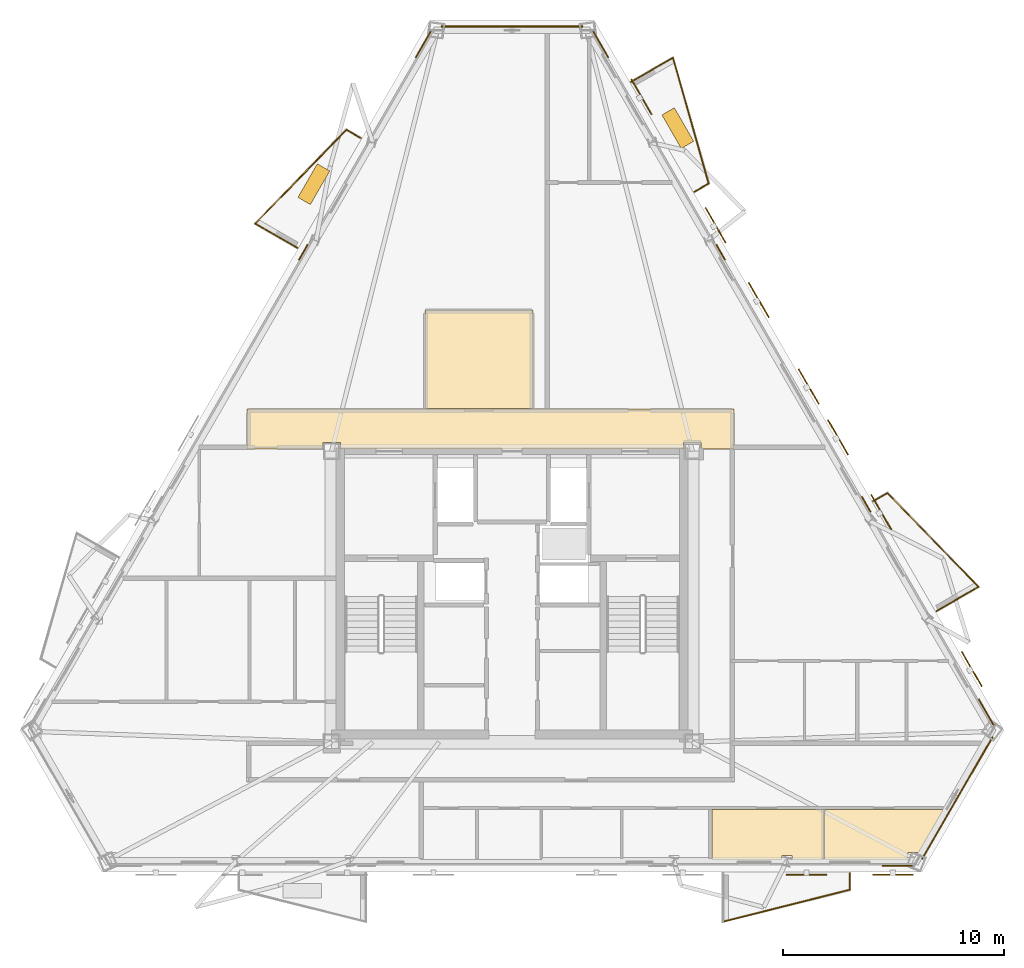
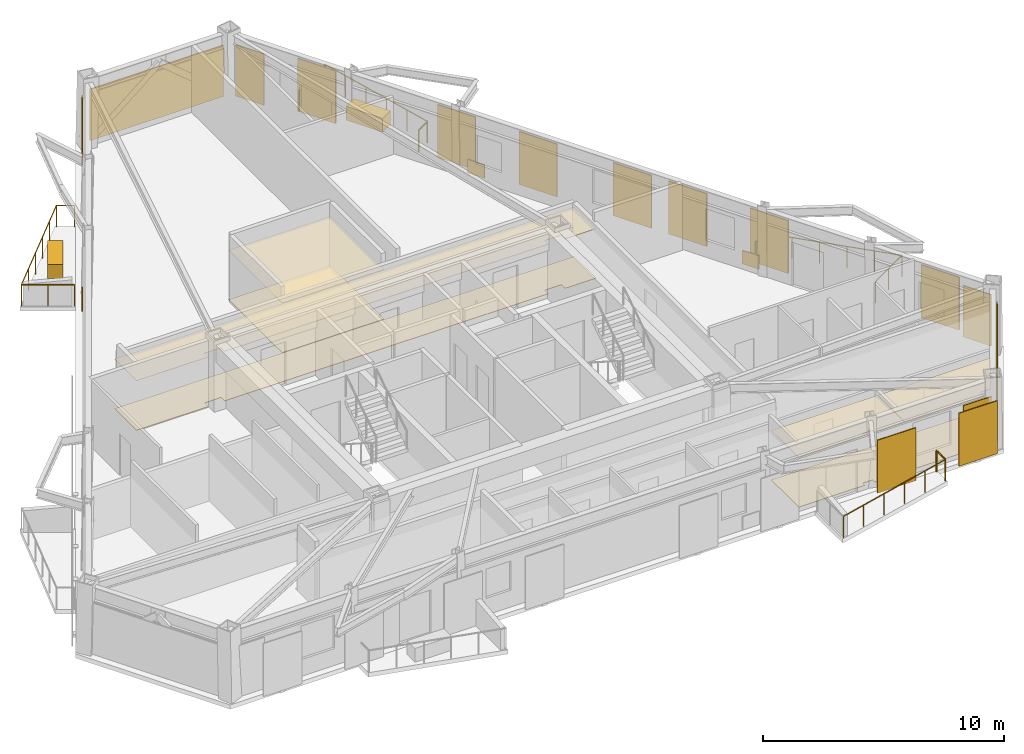
# One storey, part 10 of 11: 19 coverings, 11 railings, 9 shading devices.
"""IFC4 building model written with IfcOpenShell, lengths in metres."""

from ifc_helpers import new_model, si_unit, direction, frame, origin, origin_2d, place, context, subcontext, project, spatial, polyline, rectangle, circle, outline, extrude, material, layer, layer_set, type_object, element, save


model = new_model("IFC4")

# Units and contexts
model_context = context("Model", 3, precision=1e-05, world=origin(), true_north=direction((0.0, 1.0)))
body_context = subcontext(model_context, "Body", "Model", "MODEL_VIEW")
ifc_project = project(units=[si_unit("LENGTHUNIT", "METRE"), si_unit("AREAUNIT", "SQUARE_METRE"), si_unit("VOLUMEUNIT", "CUBIC_METRE"), si_unit("PLANEANGLEUNIT", "RADIAN"), si_unit("MASSUNIT", "GRAM", prefix="KILO")], contexts=[model_context])

# Site, building, storey
site_placement = place(None, origin())
site = spatial("IfcSite", under=ifc_project, at=site_placement, CompositionType="ELEMENT")
building_placement = place(site_placement, origin())
building = spatial("IfcBuilding", under=site, at=building_placement, Name="Oramaril Tower", CompositionType="ELEMENT")
storey_placement = place(building_placement, frame((0.0, 0.0, 212.699951171875)))
storey = spatial("IfcBuildingStorey", under=building, at=storey_placement, Name="L56", CompositionType="ELEMENT", Elevation=212.699951171875)

# Coverings
ifc_material_1 = material(Name="Mineral Fibre Acoustic Ceiling")
ifc_layer_1 = layer(ifc_material_1, 0.02001953125)
ifc_layer_set_1 = layer_set([ifc_layer_1], Name="CVT-CEIL")
covering_type_1 = type_object("IfcCoveringType", Name="CVT-CEIL", PredefinedType="CEILING", material=ifc_layer_set_1)
covering_1_placement = place(storey_placement, frame((0.0, 0.0, 2.511962890625)))
element("IfcCovering", 1, at=covering_1_placement, inside=storey, type_object=covering_type_1, Name="L56 Acoustic Suspended Ceiling 2", PredefinedType="CEILING", context=body_context, shape_type="SweptSolid", body=[
    extrude(outline(polyline([(47.530029296875, 24.239990234375), (46.044921875, 24.239990234375), (46.044921875, 24.544921875), (45.2548828125, 24.544921875), (45.2548828125, 24.25), (29.7451171875, 24.25), (29.7451171875, 24.544921875), (28.955078125, 24.544921875), (28.955078125, 24.239990234375), (25.52001953125, 24.239990234375), (25.52001953125, 26.050048828125), (47.530029296875, 26.050048828125), (47.530029296875, 24.239990234375)])), origin(), (0.0, 0.0, 1.0), 0.02001953125),
])
covering_2_placement = place(storey_placement, frame((0.0, 0.0, 2.511962890625)))
element("IfcCovering", 2, at=covering_2_placement, inside=storey, type_object=covering_type_1, Name="L56 Acoustic Suspended Ceiling 4", PredefinedType="CEILING", context=body_context, shape_type="SweptSolid", body=[
    extrude(outline(polyline([(38.44189453125, 30.511962890625), (38.44189453125, 26.070068359375), (33.55810546875, 26.070068359375), (33.55810546875, 30.511962890625), (38.44189453125, 30.511962890625)])), origin(), (0.0, 0.0, 1.0), 0.02001953125),
])
covering_3_placement = place(storey_placement, frame((0.0, 0.0, 2.511962890625)))
element("IfcCovering", 3, at=covering_3_placement, inside=storey, type_object=covering_type_1, Name="L56 Acoustic Suspended Ceiling 10", PredefinedType="CEILING", context=body_context, shape_type="SweptSolid", body=[
    extrude(outline(polyline([(50.15625, 5.69287109375), (50.15625, 5.87109375), (49.6982421875, 5.87109375), (49.6982421875, 5.69287109375), (46.5263671875, 5.69287109375), (46.5263671875, 7.967529296875), (51.606689453125, 7.967529296875), (51.606689453125, 5.69287109375), (50.15625, 5.69287109375)])), origin(), (0.0, 0.0, 1.0), 0.02001953125),
])
covering_4_placement = place(storey_placement, frame((0.0, 0.0, 2.511962890625)))
element("IfcCovering", 4, at=covering_4_placement, inside=storey, type_object=covering_type_1, Name="L56 Acoustic Suspended Ceiling 11", PredefinedType="CEILING", context=body_context, shape_type="SweptSolid", body=[
    extrude(outline(polyline([(55.391357421875, 6.021728515625), (55.391357421875, 5.69287109375), (51.626708984375, 5.69287109375), (51.626708984375, 7.967529296875), (57.01220703125, 7.967529296875), (55.888916015625, 6.021728515625), (55.391357421875, 6.021728515625)])), origin(), (0.0, 0.0, 1.0), 0.02001953125),
])
ifc_material_2 = material(Name="Warm Cream Limestone", Category="masonry")
ifc_layer_2 = layer(ifc_material_2, 0.050048828125)
ifc_layer_set_2 = layer_set([ifc_layer_2], Name="CVT-CLD")
covering_type_2 = type_object("IfcCoveringType", Name="CVT-CLD", PredefinedType="CLADDING", material=ifc_layer_set_2)
covering_5_placement = place(storey_placement, frame((54.911376953125, 5.416748046875, 0.0400390625), z_axis=(0.0, 0.0, 1.0), x_axis=(1.0, 0.0, 0.0)))
element("IfcCovering", 5, at=covering_5_placement, inside=storey, type_object=covering_type_2, Name="L56 Warm Cream Limestone Cladding", PredefinedType="CLADDING", context=body_context, shape_type="SweptSolid", body=[
    extrude(rectangle(XDim=1.35009765625, YDim=0.050048828125, at=origin_2d()), origin(), (0.0, 0.0, 1.0), 2.596923828125),
])
covering_6_placement = place(storey_placement, frame((57.626708984375, 8.479736328125, 0.0400390625), z_axis=(0.0, 0.0, 1.0), x_axis=(0.5, 0.866025403784, 0.0)))
element("IfcCovering", 6, at=covering_6_placement, inside=storey, type_object=covering_type_2, Name="L56 Warm Cream Limestone Cladding", PredefinedType="CLADDING", context=body_context, shape_type="SweptSolid", body=[
    extrude(rectangle(XDim=6.379638671875, YDim=0.050048828125, at=origin_2d()), origin(), (0.0, 0.0, 1.0), 2.596923828125),
])
for number, where, z_axis, x_axis, name in (
    (7, (58.921630859375, 12.36279296875, 0.0400390625), (0.0, 0.0, 1.0), (-0.4999984885, 0.866026276448, 0.0), "L56 Warm Cream Limestone Cladding"),
    (8, (41.51025390625, 42.5205078125, 0.0400390625), (0.0, 0.0, 1.0), (-0.4999984885, 0.866026276448, 0.0), "L56 Warm Cream Limestone Cladding"),
):
    element("IfcCovering", number, at=place(storey_placement, frame(where, z_axis=z_axis, x_axis=x_axis)), inside=storey, type_object=covering_type_2, Name=name, PredefinedType="CLADDING", context=body_context, shape_type="SweptSolid", body=[
        extrude(rectangle(XDim=1.35009765625, YDim=0.050048828125, at=origin_2d()), origin(), (0.0, 0.0, 1.0), 2.596923828125),
    ])
for number, where, z_axis, x_axis, name in (
    (9, (53.5029296875, 21.748291015625, 0.0400390625), (0.0, 0.0, 1.0), (-0.4999984885, 0.866026276448, 0.0), "L56 Warm Cream Limestone Spandrel Cladding"),
    (10, (46.928955078125, 33.135009765625, 0.0400390625), (0.0, 0.0, 1.0), (-0.4999984885, 0.866026276448, 0.0), "L56 Warm Cream Limestone Spandrel Cladding"),
):
    element("IfcCovering", number, at=place(storey_placement, frame(where, z_axis=z_axis, x_axis=x_axis)), inside=storey, type_object=covering_type_2, Name=name, PredefinedType="CLADDING", context=body_context, shape_type="SweptSolid", body=[
        extrude(rectangle(XDim=0.800048828125, YDim=0.050048828125, at=origin_2d()), origin(), (0.0, 0.0, 1.0), 0.679931640625),
    ])
covering_7_placement = place(storey_placement, frame((37.5, 43.340576171875, 0.0400390625), z_axis=(0.0, 0.0, 1.0), x_axis=(-1.0, 0.0, 0.0)))
element("IfcCovering", 11, at=covering_7_placement, inside=storey, type_object=covering_type_2, Name="L56 Warm Cream Limestone Cladding", PredefinedType="CLADDING", context=body_context, shape_type="SweptSolid", body=[
    extrude(rectangle(XDim=6.379638671875, YDim=0.050048828125, at=origin_2d()), origin(), (0.0, 0.0, 1.0), 2.596923828125),
])
covering_8_placement = place(storey_placement, frame((33.48974609375, 42.5205078125, 0.0400390625), z_axis=(0.0, 0.0, 1.0), x_axis=(-0.4999984885, -0.866026276448, 0.0)))
element("IfcCovering", 12, at=covering_8_placement, inside=storey, type_object=covering_type_2, Name="L56 Warm Cream Limestone Cladding", PredefinedType="CLADDING", context=body_context, shape_type="SweptSolid", body=[
    extrude(rectangle(XDim=1.35009765625, YDim=0.050048828125, at=origin_2d()), origin(), (0.0, 0.0, 1.0), 2.596923828125),
])
covering_9_placement = place(storey_placement, frame((28.071044921875, 33.135009765625, 0.0400390625), z_axis=(0.0, 0.0, 1.0), x_axis=(-0.4999984885, -0.866026276448, 0.0)))
element("IfcCovering", 13, at=covering_9_placement, inside=storey, type_object=covering_type_2, Name="L56 Warm Cream Limestone Spandrel Cladding", PredefinedType="CLADDING", context=body_context, shape_type="SweptSolid", body=[
    extrude(rectangle(XDim=0.800048828125, YDim=0.050048828125, at=origin_2d()), origin(), (0.0, 0.0, 1.0), 0.679931640625),
])
for number, where, z_axis, x_axis, name in (
    (14, (44.992431640625, 38.746337890625, 0.0), (0.0, 0.0, 1.0), (-0.4999984885, 0.866026276448, 0.0), "L56 Structural Tree Planter Box L56-BAL-NE2"),
    (15, (28.545166015625, 36.213134765625, 0.0), (0.0, 0.0, 1.0), (-0.4999984885, -0.866026276448, 0.0), "L56 Structural Tree Planter Box L56-BAL-NW1"),
):
    element("IfcCovering", number, at=place(storey_placement, frame(where, z_axis=z_axis, x_axis=x_axis)), inside=storey, type_object=covering_type_2, Name=name, PredefinedType="CLADDING", context=body_context, shape_type="SweptSolid", body=[
        extrude(rectangle(XDim=1.75, YDim=0.64990234375, at=origin_2d()), origin(), (0.0, 0.0, 1.0), 0.699951171875),
    ])
ifc_material_3 = material(Name="Honed Quartzite Stone Flooring", Category="masonry")
ifc_layer_3 = layer(ifc_material_3, 0.02490234375)
ifc_layer_set_3 = layer_set([ifc_layer_3], Name="CVT-FLR")
covering_type_3 = type_object("IfcCoveringType", Name="CVT-FLR", PredefinedType="FLOORING", material=ifc_layer_set_3)
covering_10_placement = place(storey_placement, origin())
element("IfcCovering", 16, at=covering_10_placement, inside=storey, type_object=covering_type_3, Name="L56 Honed Stone Floor Finish 2", PredefinedType="FLOORING", context=body_context, shape_type="SweptSolid", body=[
    extrude(outline(polyline([(47.530029296875, 24.239990234375), (46.044921875, 24.239990234375), (46.044921875, 24.544921875), (45.2548828125, 24.544921875), (45.2548828125, 24.25), (29.7451171875, 24.25), (29.7451171875, 24.544921875), (28.955078125, 24.544921875), (28.955078125, 24.239990234375), (25.52001953125, 24.239990234375), (25.52001953125, 26.050048828125), (47.530029296875, 26.050048828125), (47.530029296875, 24.239990234375)])), origin(), (0.0, 0.0, 1.0), 0.025146484375),
])
covering_11_placement = place(storey_placement, origin())
element("IfcCovering", 17, at=covering_11_placement, inside=storey, type_object=covering_type_3, Name="L56 Honed Stone Floor Finish 4", PredefinedType="FLOORING", context=body_context, shape_type="SweptSolid", body=[
    extrude(outline(polyline([(38.44189453125, 30.511962890625), (38.44189453125, 26.070068359375), (33.55810546875, 26.070068359375), (33.55810546875, 30.511962890625), (38.44189453125, 30.511962890625)])), origin(), (0.0, 0.0, 1.0), 0.025146484375),
])
covering_12_placement = place(storey_placement, origin())
element("IfcCovering", 18, at=covering_12_placement, inside=storey, type_object=covering_type_3, Name="L56 Honed Stone Floor Finish 10", PredefinedType="FLOORING", context=body_context, shape_type="SweptSolid", body=[
    extrude(outline(polyline([(50.15625, 5.69287109375), (50.15625, 5.87109375), (49.6982421875, 5.87109375), (49.6982421875, 5.69287109375), (46.5263671875, 5.69287109375), (46.5263671875, 7.967529296875), (51.606689453125, 7.967529296875), (51.606689453125, 5.69287109375), (50.15625, 5.69287109375)])), origin(), (0.0, 0.0, 1.0), 0.025146484375),
])
covering_13_placement = place(storey_placement, origin())
element("IfcCovering", 19, at=covering_13_placement, inside=storey, type_object=covering_type_3, Name="L56 Honed Stone Floor Finish 11", PredefinedType="FLOORING", context=body_context, shape_type="SweptSolid", body=[
    extrude(outline(polyline([(55.391357421875, 6.021728515625), (55.391357421875, 5.69287109375), (51.626708984375, 5.69287109375), (51.626708984375, 7.967529296875), (57.01220703125, 7.967529296875), (55.888916015625, 6.021728515625), (55.391357421875, 6.021728515625)])), origin(), (0.0, 0.0, 1.0), 0.025146484375),
])

# Railings
ifc_material_4 = material(Name="Stainless Steel 316L", Category="steel")
railing_type = type_object("IfcRailingType", Name="RLT-GRD", PredefinedType="GUARDRAIL", material=ifc_material_4)
railing_1_placement = place(storey_placement, frame((52.76708984375, 5.076904296875, 0.0)))
element("IfcRailing", 20, at=railing_1_placement, inside=storey, type_object=railing_type, Name="L56 Balcony Guardrail L56-BAL-S2.1", PredefinedType="GUARDRAIL", context=body_context, shape_type="SweptSolid", body=[
    extrude(circle(Radius=0.02392578125, at=origin_2d()), frame((0.0, 0.0, 1.076171875), z_axis=(0.0, -1.0, 0.0), x_axis=(1.0, 0.0, 0.0)), (0.0, 0.0, 1.0), 0.7421875),
    extrude(circle(Radius=0.02099609375, at=origin_2d()), origin(), (0.0, 0.0, 1.0), 1.052001953125),
    extrude(circle(Radius=0.02099609375, at=origin_2d()), frame((0.0, -0.7421875, 0.0)), (0.0, 0.0, 1.0), 1.052001953125),
])
railing_2_placement = place(storey_placement, frame((52.76708984375, 4.334716796875, 0.0)))
element("IfcRailing", 21, at=railing_2_placement, inside=storey, type_object=railing_type, Name="L56 Balcony Guardrail L56-BAL-S2.2", PredefinedType="GUARDRAIL", context=body_context, shape_type="SweptSolid", body=[
    extrude(circle(Radius=0.02392578125, at=origin_2d()), frame((0.0, 0.0, 1.076171875), z_axis=(-0.969443611257, -0.245314256807, 0.0), x_axis=(0.245314256807, -0.969443611257, 0.0)), (0.0, 0.0, 1.0), 5.91064453125),
    extrude(circle(Radius=0.02099609375, at=origin_2d()), origin(), (0.0, 0.0, 1.0), 1.052001953125),
    extrude(circle(Radius=0.02099609375, at=origin_2d()), frame((-1.14599609375, -0.2900390625, 0.0)), (0.0, 0.0, 1.0), 1.052001953125),
    extrude(circle(Radius=0.02099609375, at=origin_2d()), frame((-2.2919921875, -0.580078125, 0.0)), (0.0, 0.0, 1.0), 1.052001953125),
    extrude(circle(Radius=0.02099609375, at=origin_2d()), frame((-3.43798828125, -0.869873046875, 0.0)), (0.0, 0.0, 1.0), 1.052001953125),
    extrude(circle(Radius=0.02099609375, at=origin_2d()), frame((-4.583984375, -1.159912109375, 0.0)), (0.0, 0.0, 1.0), 1.052001953125),
    extrude(circle(Radius=0.02099609375, at=origin_2d()), frame((-5.72998046875, -1.449951171875, 0.0)), (0.0, 0.0, 1.0), 1.052001953125),
])
railing_3_placement = place(storey_placement, frame((53.81640625, 21.885498046875, 0.0)))
element("IfcRailing", 22, at=railing_3_placement, inside=storey, type_object=railing_type, Name="L56 Balcony Guardrail L56-BAL-NE1.1", PredefinedType="GUARDRAIL", context=body_context, shape_type="SweptSolid", body=[
    extrude(circle(Radius=0.02392578125, at=origin_2d()), frame((0.0, 0.0, 1.076171875), z_axis=(0.866108878364, 0.499855389907, 0.0), x_axis=(-0.499855389907, 0.866108878364, 0.0)), (0.0, 0.0, 1.0), 0.741943359375),
    extrude(circle(Radius=0.02099609375, at=origin_2d()), origin(), (0.0, 0.0, 1.0), 1.052001953125),
    extrude(circle(Radius=0.02099609375, at=origin_2d()), frame((0.642578125, 0.370849609375, 0.0)), (0.0, 0.0, 1.0), 1.052001953125),
])
railing_4_placement = place(storey_placement, frame((54.458984375, 22.25634765625, 0.0)))
element("IfcRailing", 23, at=railing_4_placement, inside=storey, type_object=railing_type, Name="L56 Balcony Guardrail L56-BAL-NE1.2", PredefinedType="GUARDRAIL", context=body_context, shape_type="SweptSolid", body=[
    extrude(circle(Radius=0.02392578125, at=origin_2d()), frame((0.0, 0.0, 1.076171875), z_axis=(0.697186915353, -0.716889395277, 0.0), x_axis=(0.716889395277, 0.697186915353, 0.0)), (0.0, 0.0, 1.0), 5.91064453125),
    extrude(circle(Radius=0.02099609375, at=origin_2d()), origin(), (0.0, 0.0, 1.0), 1.052001953125),
    extrude(circle(Radius=0.02099609375, at=origin_2d()), frame((0.82421875, -0.847412109375, 0.0)), (0.0, 0.0, 1.0), 1.052001953125),
    extrude(circle(Radius=0.02099609375, at=origin_2d()), frame((1.6484375, -1.69482421875, 0.0)), (0.0, 0.0, 1.0), 1.052001953125),
    extrude(circle(Radius=0.02099609375, at=origin_2d()), frame((2.472412109375, -2.54248046875, 0.0)), (0.0, 0.0, 1.0), 1.052001953125),
    extrude(circle(Radius=0.02099609375, at=origin_2d()), frame((3.296630859375, -3.389892578125, 0.0)), (0.0, 0.0, 1.0), 1.052001953125),
    extrude(circle(Radius=0.02099609375, at=origin_2d()), frame((4.120849609375, -4.2373046875, 0.0)), (0.0, 0.0, 1.0), 1.052001953125),
])
railing_5_placement = place(storey_placement, frame((58.579833984375, 18.01904296875, 0.0)))
element("IfcRailing", 24, at=railing_5_placement, inside=storey, type_object=railing_type, Name="L56 Balcony Guardrail L56-BAL-NE1.3", PredefinedType="GUARDRAIL", context=body_context, shape_type="SweptSolid", body=[
    extrude(circle(Radius=0.02392578125, at=origin_2d()), frame((0.0, 0.0, 1.076171875), z_axis=(-0.866048343933, -0.499960264392, 0.0), x_axis=(0.499960264392, -0.866048343933, 0.0)), (0.0, 0.0, 1.0), 2.192138671875),
    extrude(circle(Radius=0.02099609375, at=origin_2d()), origin(), (0.0, 0.0, 1.0), 1.052001953125),
    extrude(circle(Radius=0.02099609375, at=origin_2d()), frame((-0.94921875, -0.5478515625, 0.0)), (0.0, 0.0, 1.0), 1.052001953125),
    extrude(circle(Radius=0.02099609375, at=origin_2d()), frame((-1.8984375, -1.095947265625, 0.0)), (0.0, 0.0, 1.0), 1.052001953125),
])
railing_6_placement = place(storey_placement, frame((42.876953125, 40.833251953125, 0.0)))
element("IfcRailing", 25, at=railing_6_placement, inside=storey, type_object=railing_type, Name="L56 Balcony Guardrail L56-BAL-NE2.1", PredefinedType="GUARDRAIL", context=body_context, shape_type="SweptSolid", body=[
    extrude(circle(Radius=0.02392578125, at=origin_2d()), frame((0.0, 0.0, 1.076171875), z_axis=(0.866048343933, 0.499960264392, 0.0), x_axis=(-0.499960264392, 0.866048343933, 0.0)), (0.0, 0.0, 1.0), 2.192138671875),
    extrude(circle(Radius=0.02099609375, at=origin_2d()), origin(), (0.0, 0.0, 1.0), 1.052001953125),
    extrude(circle(Radius=0.02099609375, at=origin_2d()), frame((0.94921875, 0.5478515625, 0.0)), (0.0, 0.0, 1.0), 1.052001953125),
    extrude(circle(Radius=0.02099609375, at=origin_2d()), frame((1.8984375, 1.095947265625, 0.0)), (0.0, 0.0, 1.0), 1.052001953125),
])
railing_7_placement = place(storey_placement, frame((44.775390625, 41.92919921875, 0.0)))
element("IfcRailing", 26, at=railing_7_placement, inside=storey, type_object=railing_type, Name="L56 Balcony Guardrail L56-BAL-NE2.2", PredefinedType="GUARDRAIL", context=body_context, shape_type="SweptSolid", body=[
    extrude(circle(Radius=0.02392578125, at=origin_2d()), frame((0.0, 0.0, 1.076171875), z_axis=(0.27224886544, -0.962226873074, 0.0), x_axis=(0.962226873074, 0.27224886544, 0.0)), (0.0, 0.0, 1.0), 5.910400390625),
    extrude(circle(Radius=0.02099609375, at=origin_2d()), origin(), (0.0, 0.0, 1.0), 1.052001953125),
    extrude(circle(Radius=0.02099609375, at=origin_2d()), frame((0.32177734375, -1.137451171875, 0.0)), (0.0, 0.0, 1.0), 1.052001953125),
    extrude(circle(Radius=0.02099609375, at=origin_2d()), frame((0.6435546875, -2.27490234375, 0.0)), (0.0, 0.0, 1.0), 1.052001953125),
    extrude(circle(Radius=0.02099609375, at=origin_2d()), frame((0.965576171875, -3.412353515625, 0.0)), (0.0, 0.0, 1.0), 1.052001953125),
    extrude(circle(Radius=0.02099609375, at=origin_2d()), frame((1.287353515625, -4.5498046875, 0.0)), (0.0, 0.0, 1.0), 1.052001953125),
    extrude(circle(Radius=0.02099609375, at=origin_2d()), frame((1.609130859375, -5.687255859375, 0.0)), (0.0, 0.0, 1.0), 1.052001953125),
])
railing_8_placement = place(storey_placement, frame((46.384521484375, 36.241943359375, 0.0)))
element("IfcRailing", 27, at=railing_8_placement, inside=storey, type_object=railing_type, Name="L56 Balcony Guardrail L56-BAL-NE2.3", PredefinedType="GUARDRAIL", context=body_context, shape_type="SweptSolid", body=[
    extrude(circle(Radius=0.02392578125, at=origin_2d()), frame((0.0, 0.0, 1.076171875), z_axis=(-0.866108878364, -0.499855389907, 0.0), x_axis=(0.499855389907, -0.866108878364, 0.0)), (0.0, 0.0, 1.0), 0.741943359375),
    extrude(circle(Radius=0.02099609375, at=origin_2d()), origin(), (0.0, 0.0, 1.0), 1.052001953125),
    extrude(circle(Radius=0.02099609375, at=origin_2d()), frame((-0.642578125, -0.370849609375, 0.0)), (0.0, 0.0, 1.0), 1.052001953125),
])
railing_9_placement = place(storey_placement, frame((27.79541015625, 33.337890625, 0.0)))
element("IfcRailing", 28, at=railing_9_placement, inside=storey, type_object=railing_type, Name="L56 Balcony Guardrail L56-BAL-NW1.1", PredefinedType="GUARDRAIL", context=body_context, shape_type="SweptSolid", body=[
    extrude(circle(Radius=0.02392578125, at=origin_2d()), frame((0.0, 0.0, 1.076171875), z_axis=(-0.866020500697, 0.5000084923, 0.0), x_axis=(-0.5000084923, -0.866020500697, 0.0)), (0.0, 0.0, 1.0), 2.19189453125),
    extrude(circle(Radius=0.02099609375, at=origin_2d()), origin(), (0.0, 0.0, 1.0), 1.052001953125),
    extrude(circle(Radius=0.02099609375, at=origin_2d()), frame((-0.94921875, 0.5478515625, 0.0)), (0.0, 0.0, 1.0), 1.052001953125),
    extrude(circle(Radius=0.02099609375, at=origin_2d()), frame((-1.898193359375, 1.095947265625, 0.0)), (0.0, 0.0, 1.0), 1.052001953125),
])
railing_10_placement = place(storey_placement, frame((25.897216796875, 34.433837890625, 0.0)))
element("IfcRailing", 29, at=railing_10_placement, inside=storey, type_object=railing_type, Name="L56 Balcony Guardrail L56-BAL-NW1.2", PredefinedType="GUARDRAIL", context=body_context, shape_type="SweptSolid", body=[
    extrude(circle(Radius=0.02392578125, at=origin_2d()), frame((0.0, 0.0, 1.076171875), z_axis=(0.697186915353, 0.716889395277, 0.0), x_axis=(-0.716889395277, 0.697186915353, 0.0)), (0.0, 0.0, 1.0), 5.91064453125),
    extrude(circle(Radius=0.02099609375, at=origin_2d()), origin(), (0.0, 0.0, 1.0), 1.052001953125),
    extrude(circle(Radius=0.02099609375, at=origin_2d()), frame((0.82421875, 0.847412109375, 0.0)), (0.0, 0.0, 1.0), 1.052001953125),
    extrude(circle(Radius=0.02099609375, at=origin_2d()), frame((1.6484375, 1.69482421875, 0.0)), (0.0, 0.0, 1.0), 1.052001953125),
    extrude(circle(Radius=0.02099609375, at=origin_2d()), frame((2.472412109375, 2.54248046875, 0.0)), (0.0, 0.0, 1.0), 1.052001953125),
    extrude(circle(Radius=0.02099609375, at=origin_2d()), frame((3.296630859375, 3.389892578125, 0.0)), (0.0, 0.0, 1.0), 1.052001953125),
    extrude(circle(Radius=0.02099609375, at=origin_2d()), frame((4.120849609375, 4.2373046875, 0.0)), (0.0, 0.0, 1.0), 1.052001953125),
])
railing_11_placement = place(storey_placement, frame((30.01806640625, 38.671142578125, 0.0)))
element("IfcRailing", 30, at=railing_11_placement, inside=storey, type_object=railing_type, Name="L56 Balcony Guardrail L56-BAL-NW1.3", PredefinedType="GUARDRAIL", context=body_context, shape_type="SweptSolid", body=[
    extrude(circle(Radius=0.02392578125, at=origin_2d()), frame((0.0, 0.0, 1.076171875), z_axis=(0.865884080729, -0.500244698863, 0.0), x_axis=(0.500244698863, 0.865884080729, 0.0)), (0.0, 0.0, 1.0), 0.741943359375),
    extrude(circle(Radius=0.02099609375, at=origin_2d()), origin(), (0.0, 0.0, 1.0), 1.052001953125),
    extrude(circle(Radius=0.02099609375, at=origin_2d()), frame((0.642333984375, -0.37109375, 0.0)), (0.0, 0.0, 1.0), 1.052001953125),
])

# Shading devices
for number, where, z_axis, x_axis, name in (
    (31, (50.81201171875, 5.0048828125, -0.02001953125), (0.0, 0.0, 1.0), (1.0, 0.0, 0.0), "L56 Perforated Ceramic Solar Screen"),
    (32, (54.7119140625, 5.0048828125, -0.02001953125), (0.0, 0.0, 1.0), (1.0, 0.0, 0.0), "L56 Perforated Ceramic Solar Screen"),
    (33, (54.18310546875, 21.394287109375, -0.02001953125), (0.0, 0.0, 1.0), (-0.4999984885, 0.866026276448, 0.0), "L56 Perforated Ceramic Solar Screen"),
    (34, (52.233154296875, 24.77197265625, -0.02001953125), (0.0, 0.0, 1.0), (-0.4999984885, 0.866026276448, 0.0), "L56 Perforated Ceramic Solar Screen"),
    (35, (58.277587890625, 14.30224609375, -0.02001953125), (0.0, 0.0, 1.0), (-0.4999984885, 0.866026276448, 0.0), "L56 Perforated Ceramic Solar Screen"),
    (36, (50.9072265625, 27.068603515625, -0.02001953125), (0.0, 0.0, 1.0), (-0.4999984885, 0.866026276448, 0.0), "L56 Perforated Ceramic Solar Screen"),
    (37, (48.649658203125, 30.978515625, -0.02001953125), (0.0, 0.0, 1.0), (-0.4999984885, 0.866026276448, 0.0), "L56 Perforated Ceramic Solar Screen"),
    (38, (46.69970703125, 34.35595703125, -0.02001953125), (0.0, 0.0, 1.0), (-0.4999984885, 0.866026276448, 0.0), "L56 Perforated Ceramic Solar Screen"),
    (39, (43.34814453125, 40.160888671875, -0.02001953125), (0.0, 0.0, 1.0), (-0.4999984885, 0.866026276448, 0.0), "L56 Perforated Ceramic Solar Screen"),
):
    element("IfcShadingDevice", number, at=place(storey_placement, frame(where, z_axis=z_axis, x_axis=x_axis)), inside=storey, Name=name, ObjectType="SCREEN", PredefinedType="USERDEFINED", context=body_context, shape_type="SweptSolid", body=[
        extrude(rectangle(XDim=1.8330078125, YDim=0.050048828125, at=origin_2d()), origin(), (0.0, 0.0, 1.0), 2.677001953125),
    ])

save(model, "model.ifc")
